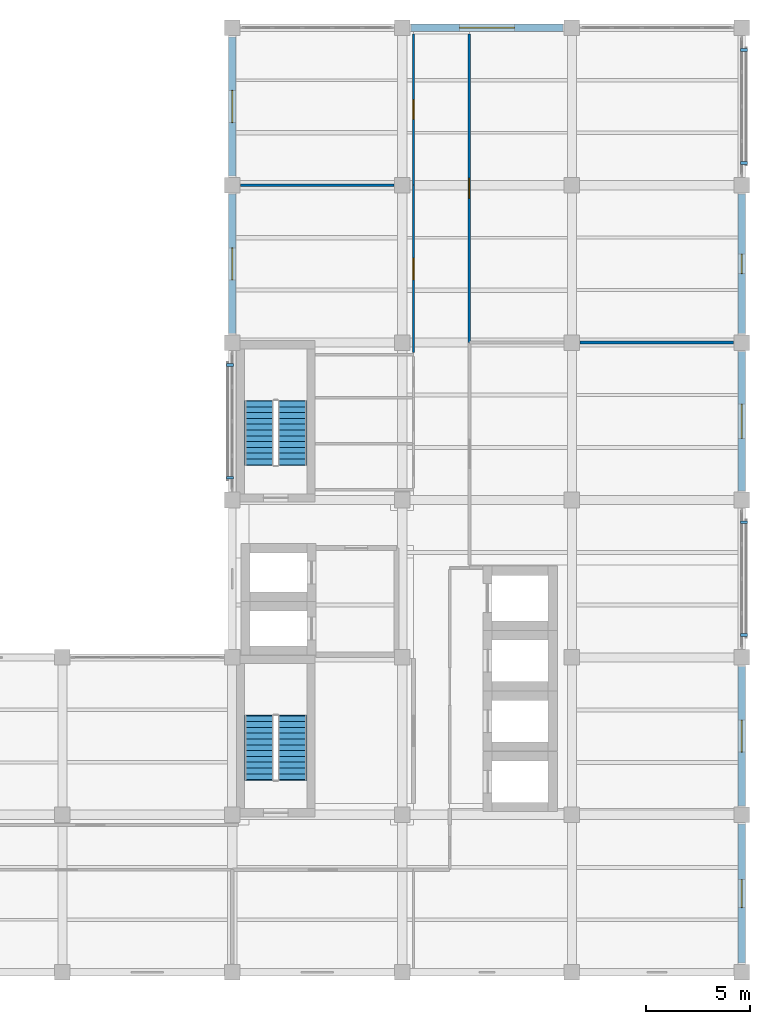
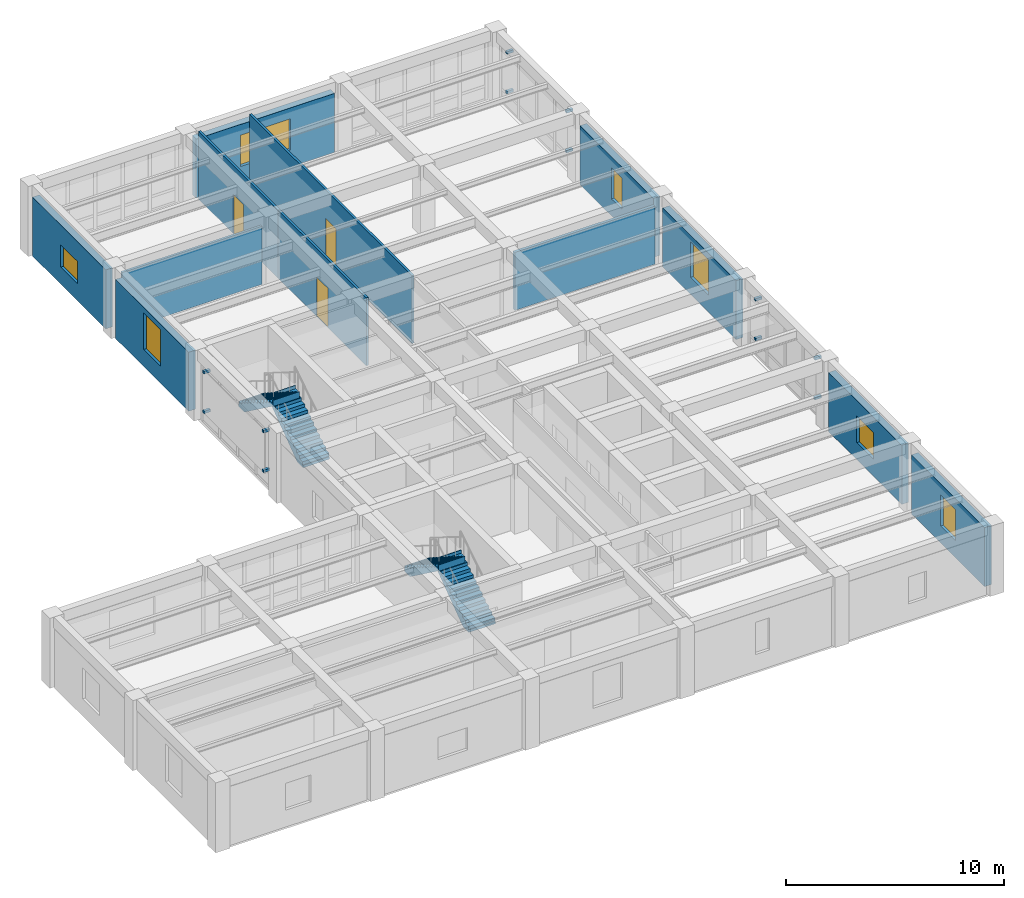
# One storey, part 9 of 13: 12 discrete accessories, 12 walls, 7 windows, 4 stair flights, 3 doors, 10 openings, 2 elements without a shape of their own.
"""IFC4 building model written with IfcOpenShell, lengths in metres."""

import ifcopenshell
import ifcopenshell.guid

model = None  # the IFC model being written
_history = None  # IfcOwnerHistory: only IFC2X3 demands one
_inside = {}  # id of a spatial element -> (the spatial element, [elements in it])
_under = {}  # id of a project, library or spatial element -> (it, [spatial elements below it])
_declared = {}  # id of a project -> (the project, [libraries it declares])
_typed = {}  # id of a type object -> (the type object, [elements of that type])
_made_of = {}  # id of a material, layer set ... -> (it, [elements and type objects made of it])


def new_model(schema):
    """Start an empty IFC model of exactly this schema.

    Asked for "IFC4X3", IfcOpenShell would pick the latest addendum, in which some entities
    have other attributes; the version numbers below select the first issue.
    IFC2X3 requires an IfcOwnerHistory on every rooted entity: one is made here for all.
    """
    global model, _history
    if schema == "IFC4X3":
        model = ifcopenshell.file(schema_version=(4, 3, 0, 0))
    else:
        model = ifcopenshell.file(schema=schema)
    _inside.clear()
    _under.clear()
    _declared.clear()
    _typed.clear()
    _made_of.clear()
    _history = None
    if model.schema == "IFC2X3":
        org = make("IfcOrganization", Name="unknown")
        user = make(
            "IfcPersonAndOrganization",
            ThePerson=make("IfcPerson", FamilyName="unknown"),
            TheOrganization=org,
        )
        app = make(
            "IfcApplication",
            ApplicationDeveloper=org,
            Version="unknown",
            ApplicationFullName="unknown",
            ApplicationIdentifier="unknown",
        )
        _history = make(
            "IfcOwnerHistory",
            OwningUser=user,
            OwningApplication=app,
            ChangeAction="ADDED",
            CreationDate=0,
        )
    return model


def make(cls, **values):
    """One entity of the class cls with the attributes given. An attribute that is None is left unset."""
    return model.create_entity(
        cls, **{name: value for name, value in values.items() if value is not None}
    )


def rooted(cls, **values):
    """An entity with a GlobalId (a new one), such as an element, a storey or a relation."""
    return make(cls, GlobalId=ifcopenshell.guid.new(), OwnerHistory=_history, **values)


def si_unit(unit_type, name, prefix=None):
    """IfcSIUnit, for example si_unit("LENGTHUNIT", "METRE", prefix="MILLI")."""
    return make("IfcSIUnit", UnitType=unit_type, Prefix=prefix, Name=name)


def assignment(units):
    """IfcUnitAssignment: the units of a project."""
    return None if units is None else make("IfcUnitAssignment", Units=units)


def point(xyz):
    """IfcCartesianPoint."""
    return None if xyz is None else make("IfcCartesianPoint", Coordinates=xyz)


def direction(xyz):
    """IfcDirection."""
    return None if xyz is None else make("IfcDirection", DirectionRatios=xyz)


def frame(location, z_axis=None, x_axis=None):
    """IfcAxis2Placement3D, a coordinate frame: its origin and axes. An axis left out is left unset."""
    return make(
        "IfcAxis2Placement3D",
        Location=point(location),
        Axis=direction(z_axis),
        RefDirection=direction(x_axis),
    )


def frame_2d(location, x_axis=None):
    """IfcAxis2Placement2D, a coordinate frame in the plane: its origin and x axis."""
    return make(
        "IfcAxis2Placement2D", Location=point(location), RefDirection=direction(x_axis)
    )


def origin():
    """The frame at (0, 0, 0) with its axes left unset."""
    return frame((0.0, 0.0, 0.0))


def origin_2d():
    """The frame at (0, 0) in the plane with its x axis left unset."""
    return frame_2d((0.0, 0.0))


def place(relative_to, where):
    """IfcLocalPlacement: puts the frame where relative to a parent placement (None: the world)."""
    return make(
        "IfcLocalPlacement", PlacementRelTo=relative_to, RelativePlacement=where
    )


def context(
    kind, dimensions, precision=None, world=None, true_north=None, identifier=None
):
    """IfcGeometricRepresentationContext, for example the 3D "Model" context."""
    return make(
        "IfcGeometricRepresentationContext",
        ContextIdentifier=identifier,
        ContextType=kind,
        CoordinateSpaceDimension=dimensions,
        Precision=precision,
        WorldCoordinateSystem=world,
        TrueNorth=true_north,
    )


def subcontext(parent, identifier, kind, view, scale=None):
    """IfcGeometricRepresentationSubContext, for example "Body" below "Model"."""
    return make(
        "IfcGeometricRepresentationSubContext",
        ContextIdentifier=identifier,
        ContextType=kind,
        ParentContext=parent,
        TargetScale=scale,
        TargetView=view,
    )


def project(units=None, contexts=None):
    """IfcProject with its units and contexts."""
    return rooted(
        "IfcProject",
        Name="project",
        RepresentationContexts=contexts,
        UnitsInContext=assignment(units),
    )


def spatial(cls, under=None, at=None, **own):
    """A site, building, storey or space (cls), placed at a placement, below another one or the project."""
    s = rooted(cls, ObjectPlacement=at, **own)
    if under is not None:
        _under.setdefault(under.id(), (under, []))[1].append(s)
    return s


def polyline(points):
    """IfcPolyline through the points."""
    return make("IfcPolyline", Points=[point(p) for p in points])


def profile(cls, at=None, kind="AREA", **sizes):
    """A parametric profile (cls). Its sizes go by their IFC names, for example OverallWidth=200.0."""
    return make(cls, ProfileType=kind, Position=at, **sizes)


def rectangle(**sizes):
    """IfcRectangleProfileDef."""
    return profile("IfcRectangleProfileDef", **sizes)


def outline(outer, holes=None, kind="AREA"):
    """IfcArbitraryClosedProfileDef: a profile drawn as a closed curve; with holes, ...WithVoids."""
    if holes is None:
        return make("IfcArbitraryClosedProfileDef", ProfileType=kind, OuterCurve=outer)
    return make(
        "IfcArbitraryProfileDefWithVoids",
        ProfileType=kind,
        OuterCurve=outer,
        InnerCurves=holes,
    )


def extrude(swept, where, along, depth):
    """IfcExtrudedAreaSolid: the profile swept, set in the frame where, extruded along a direction by depth."""
    return make(
        "IfcExtrudedAreaSolid",
        SweptArea=swept,
        Position=where,
        ExtrudedDirection=direction(along),
        Depth=depth,
    )


def shape(context_of_items, identifier, shape_type, items):
    """IfcShapeRepresentation: the items that make up one representation, for example the "Body"."""
    return make(
        "IfcShapeRepresentation",
        ContextOfItems=context_of_items,
        RepresentationIdentifier=identifier,
        RepresentationType=shape_type,
        Items=items,
    )


def material(Name=None, Category=None):
    """IfcMaterial."""
    return make("IfcMaterial", Name=Name, Category=Category)


def layer(
    of_material, thickness, ventilated=None, Name=None, Category=None, Priority=None
):
    """IfcMaterialLayer: one layer of a wall or slab, of a material (None: an air gap)."""
    return make(
        "IfcMaterialLayer",
        Material=of_material,
        LayerThickness=thickness,
        IsVentilated=ventilated,
        Name=Name,
        Category=Category,
        Priority=Priority,
    )


def layer_set(layers, Name=None):
    """IfcMaterialLayerSet."""
    return make("IfcMaterialLayerSet", MaterialLayers=layers, LayerSetName=Name)


def made_of(thing, what):
    """Note that an element or type object is made of a material, layer set ...; save() writes the relation."""
    if what is not None:
        _made_of.setdefault(what.id(), (what, []))[1].append(thing)
    return thing


def type_object(cls, material=None, **own):
    """A type object (cls), such as IfcWallType, which elements share."""
    return made_of(rooted(cls, **own), material)


def element(
    cls,
    number,
    at=None,
    inside=None,
    cuts=None,
    type_object=None,
    material=None,
    context=None,
    identifier="Body",
    shape_type=None,
    held_by="IfcProductDefinitionShape",
    body=None,
    shapes=None,
    **own,
):
    """One element of the class cls, such as IfcWall. Its Tag is "e" and its number.

    at: its placement. inside: the storey or other place that contains it. cuts: it is an
    opening in that element (IfcRelVoidsElement). A single representation is given by context,
    identifier, shape_type and body (its items); several are given by shapes. held_by: the class
    of the entity that holds the representations. save() writes the other relations.
    """
    e = rooted(cls, Tag="e%d" % number, ObjectPlacement=at, **own)
    if body is not None:
        shapes = [shape(context, identifier, shape_type, body)]
    if shapes is not None:
        e.Representation = make(held_by, Representations=shapes)
    if inside is not None:
        _inside.setdefault(inside.id(), (inside, []))[1].append(e)
    if cuts is not None:
        rooted(
            "IfcRelVoidsElement", RelatingBuildingElement=cuts, RelatedOpeningElement=e
        )
    if type_object is not None:
        _typed.setdefault(type_object.id(), (type_object, []))[1].append(e)
    return made_of(e, material)


def fill(opening, filler):
    """IfcRelFillsElement: the door or window that sits in an opening."""
    return rooted(
        "IfcRelFillsElement",
        RelatingOpeningElement=opening,
        RelatedBuildingElement=filler,
    )


def aggregate(whole, parts):
    """IfcRelAggregates: a whole, such as a stair, and the parts it consists of."""
    return rooted("IfcRelAggregates", RelatingObject=whole, RelatedObjects=parts)


def save(model, path):
    """Write the relations noted so far, then the file.

    IfcRelAggregates (storeys below a building ...), IfcRelContainedInSpatialStructure (elements
    in a storey), IfcRelDefinesByType, IfcRelAssociatesMaterial and IfcRelDeclares: one each for
    every whole, place, type object, material and project.
    """
    for whole, parts in _under.values():
        aggregate(whole, parts)
    for where, things in _inside.values():
        rooted(
            "IfcRelContainedInSpatialStructure",
            RelatedElements=things,
            RelatingStructure=where,
        )
    for kind, things in _typed.values():
        rooted("IfcRelDefinesByType", RelatedObjects=things, RelatingType=kind)
    for what, things in _made_of.values():
        rooted("IfcRelAssociatesMaterial", RelatedObjects=things, RelatingMaterial=what)
    for by, libraries in _declared.values():
        rooted("IfcRelDeclares", RelatingContext=by, RelatedDefinitions=libraries)
    model.write(path)


model = new_model("IFC4")

# Units and contexts
model_context = context("Model", 3, precision=1e-05, world=origin(), true_north=direction((0.0, 1.0)))
body_context = subcontext(model_context, "Body", "Model", "MODEL_VIEW")
ifc_project = project(units=[si_unit("LENGTHUNIT", "METRE"), si_unit("AREAUNIT", "SQUARE_METRE"), si_unit("VOLUMEUNIT", "CUBIC_METRE"), si_unit("PLANEANGLEUNIT", "RADIAN"), si_unit("MASSUNIT", "GRAM", prefix="KILO")], contexts=[model_context])

# Site, building, storey
site_placement = place(None, origin())
site = spatial("IfcSite", under=ifc_project, at=site_placement, CompositionType="ELEMENT")
building_placement = place(site_placement, origin())
building = spatial("IfcBuilding", under=site, at=building_placement, Name="Qandaris Square Conservatory and Botanical Centre", CompositionType="ELEMENT")
storey_placement = place(building_placement, frame((0.0, 0.0, 57.60009765625)))
storey = spatial("IfcBuildingStorey", under=building, at=storey_placement, Name="L13", CompositionType="ELEMENT", Elevation=57.60009765625)

# Wall
ifc_material_1 = material(Name="Gypsum Plasterboard", Category="gypsum")
ifc_layer_1 = layer(ifc_material_1, 0.14990234375)
ifc_layer_set_1 = layer_set([ifc_layer_1], Name="Gypsum Plasterboard")
wall_type_1 = type_object("IfcWallType", Name="Acoustic Laboratory Partition 150mm", PredefinedType="PARTITIONING", material=ifc_layer_set_1)
wall_1_placement = place(storey_placement, frame((155.9951171875, 47.0, 0.0), z_axis=(0.0, 0.0, 1.0), x_axis=(1.0, 0.0, 0.0)))
element("IfcWall", 1, at=wall_1_placement, inside=storey, type_object=wall_type_1, Name="Interior Partition IW-L13-0438", PredefinedType="PARTITIONING", context=body_context, shape_type="SweptSolid", body=[
    extrude(rectangle(XDim=7.409912109375, YDim=0.14990234375, at=frame_2d((3.705078125, 0.0))), origin(), (0.0, 0.0, 1.0), 3.2548828125),
])

# Wall, opening, window
ifc_material_2 = material(Name="Precast concrete C40/50", Category="concrete")
ifc_layer_2 = layer(ifc_material_2, 0.360107421875)
ifc_layer_set_2 = layer_set([ifc_layer_2], Name="Precast concrete C40/50")
wall_type_2 = type_object("IfcWallType", Name="Architectural Precast Cladding Wall 360mm", PredefinedType="SOLIDWALL", material=ifc_layer_set_2)
wall_2_placement = place(storey_placement, frame((163.800048828125, 17.034912109375, 0.0), z_axis=(0.0, 0.0, 1.0), x_axis=(0.0, 1.0, 0.0)))
wall_2 = element("IfcWall", 2, at=wall_2_placement, inside=storey, type_object=wall_type_2, Name="Exterior Wall EW-TWR-L13-2-1", PredefinedType="SOLIDWALL", context=body_context, shape_type="SweptSolid", body=[
    extrude(rectangle(XDim=6.72998046875, YDim=0.360107421875, at=frame_2d((3.364990234375, 0.0))), origin(), (0.0, 0.0, 1.0), 3.304931640625),
])
opening_1_placement = place(wall_2_placement, frame((2.68994140625, 0.0, 0.949951171875)))
opening_1 = element("IfcOpeningElement", 3, at=opening_1_placement, cuts=wall_2, Name="Opening WN-23", PredefinedType="OPENING", context=body_context, shape_type="SweptSolid", body=[
    extrude(rectangle(XDim=1.35009765625, YDim=1.75, at=frame_2d((0.675048828125, 0.875))), frame((0.0, 0.19189453125, 0.0), z_axis=(0.0, -1.0, 0.0), x_axis=(1.0, 0.0, 0.0)), (0.0, 0.0, 1.0), 0.384033203125),
])
ifc_material_3 = material(Name="Tempered Low-E Glass", Category="glass")
window_type_1 = type_object("IfcWindowType", Name="Solar Control Window 1350x1750", PartitioningType="SINGLE_PANEL", PredefinedType="WINDOW", material=ifc_material_3)
window_1_placement = place(opening_1_placement, origin())
window_1 = element("IfcWindow", 4, at=window_1_placement, inside=storey, type_object=window_type_1, Name="Window EW-TWR-L13-2-1", OverallHeight=1.75, OverallWidth=1.35009765625, PartitioningType="SINGLE_PANEL", PredefinedType="WINDOW", context=body_context, shape_type="SweptSolid", body=[
    extrude(rectangle(XDim=1.35009765625, YDim=1.75, at=frame_2d((0.675048828125, 0.875))), frame((0.0, 0.030029296875, 0.0), z_axis=(0.0, -1.0, 0.0), x_axis=(1.0, 0.0, 0.0)), (0.0, 0.0, 1.0), 0.06005859375),
])
fill(opening_1, window_1)

wall_3_placement = place(storey_placement, frame((163.800048828125, 24.635009765625, 0.0), z_axis=(0.0, 0.0, 1.0), x_axis=(0.0, 1.0, 0.0)))
wall_3 = element("IfcWall", 5, at=wall_3_placement, inside=storey, type_object=wall_type_2, Name="Exterior Wall EW-TWR-L13-2-2", PredefinedType="SOLIDWALL", context=body_context, shape_type="SweptSolid", body=[
    extrude(rectangle(XDim=6.72998046875, YDim=0.360107421875, at=frame_2d((3.364990234375, 0.0))), origin(), (0.0, 0.0, 1.0), 3.304931640625),
])
opening_2_placement = place(wall_3_placement, frame((2.590087890625, 0.0, 0.949951171875)))
opening_2 = element("IfcOpeningElement", 6, at=opening_2_placement, cuts=wall_3, Name="Opening WN-26", PredefinedType="OPENING", context=body_context, shape_type="SweptSolid", body=[
    extrude(rectangle(XDim=1.550048828125, YDim=1.5, at=frame_2d((0.77490234375, 0.75))), frame((0.0, 0.19189453125, 0.0), z_axis=(0.0, -1.0, 0.0), x_axis=(1.0, 0.0, 0.0)), (0.0, 0.0, 1.0), 0.384033203125),
])
window_type_2 = type_object("IfcWindowType", Name="Solar Control Window 1550x1500", PartitioningType="DOUBLE_PANEL_VERTICAL", PredefinedType="WINDOW", material=ifc_material_3)
window_2_placement = place(opening_2_placement, origin())
window_2 = element("IfcWindow", 7, at=window_2_placement, inside=storey, type_object=window_type_2, Name="Window EW-TWR-L13-2-2", OverallHeight=1.5, OverallWidth=1.550048828125, PartitioningType="DOUBLE_PANEL_VERTICAL", PredefinedType="WINDOW", context=body_context, shape_type="SweptSolid", body=[
    extrude(rectangle(XDim=1.550048828125, YDim=1.5, at=frame_2d((0.77490234375, 0.75))), frame((0.0, 0.030029296875, 0.0), z_axis=(0.0, -1.0, 0.0), x_axis=(1.0, 0.0, 0.0)), (0.0, 0.0, 1.0), 0.06005859375),
])
fill(opening_2, window_2)

wall_4_placement = place(storey_placement, frame((163.800048828125, 39.8349609375, 0.0), z_axis=(0.0, 0.0, 1.0), x_axis=(0.0, 1.0, 0.0)))
wall_4 = element("IfcWall", 8, at=wall_4_placement, inside=storey, type_object=wall_type_2, Name="Exterior Wall EW-TWR-L13-2-4", PredefinedType="SOLIDWALL", context=body_context, shape_type="SweptSolid", body=[
    extrude(rectangle(XDim=6.72998046875, YDim=0.360107421875, at=frame_2d((3.364990234375, 0.0))), origin(), (0.0, 0.0, 1.0), 3.304931640625),
])
opening_3_placement = place(wall_4_placement, frame((2.5400390625, 0.0, 0.949951171875)))
opening_3 = element("IfcOpeningElement", 9, at=opening_3_placement, cuts=wall_4, Name="Opening WN-08", PredefinedType="OPENING", context=body_context, shape_type="SweptSolid", body=[
    extrude(rectangle(XDim=1.64990234375, YDim=2.0, at=frame_2d((0.824951171875, 1.0))), frame((0.0, 0.19189453125, 0.0), z_axis=(0.0, -1.0, 0.0), x_axis=(1.0, 0.0, 0.0)), (0.0, 0.0, 1.0), 0.384033203125),
])
window_type_3 = type_object("IfcWindowType", Name="Seminar Courtyard Window 1650x2000", PartitioningType="DOUBLE_PANEL_VERTICAL", PredefinedType="WINDOW", material=ifc_material_3)
window_3_placement = place(opening_3_placement, origin())
window_3 = element("IfcWindow", 10, at=window_3_placement, inside=storey, type_object=window_type_3, Name="Window EW-TWR-L13-2-4", OverallHeight=2.0, OverallWidth=1.64990234375, PartitioningType="DOUBLE_PANEL_VERTICAL", PredefinedType="WINDOW", context=body_context, shape_type="SweptSolid", body=[
    extrude(rectangle(XDim=1.64990234375, YDim=2.0, at=frame_2d((0.824951171875, 1.0))), frame((0.0, 0.030029296875, 0.0), z_axis=(0.0, -1.0, 0.0), x_axis=(1.0, 0.0, 0.0)), (0.0, 0.0, 1.0), 0.06005859375),
])
fill(opening_3, window_3)

wall_5_placement = place(storey_placement, frame((163.800048828125, 47.43505859375, 0.0), z_axis=(0.0, 0.0, 1.0), x_axis=(0.0, 1.0, 0.0)))
wall_5 = element("IfcWall", 11, at=wall_5_placement, inside=storey, type_object=wall_type_2, Name="Exterior Wall EW-TWR-L13-2-5", PredefinedType="SOLIDWALL", context=body_context, shape_type="SweptSolid", body=[
    extrude(rectangle(XDim=6.72998046875, YDim=0.360107421875, at=frame_2d((3.364990234375, 0.0))), origin(), (0.0, 0.0, 1.0), 3.304931640625),
])
opening_4_placement = place(wall_5_placement, frame((2.889892578125, 0.0, 0.949951171875)))
opening_4 = element("IfcOpeningElement", 12, at=opening_4_placement, cuts=wall_5, Name="Opening WN-15", PredefinedType="OPENING", context=body_context, shape_type="SweptSolid", body=[
    extrude(rectangle(XDim=0.949951171875, YDim=1.75, at=frame_2d((0.47509765625, 0.875))), frame((0.0, 0.19189453125, 0.0), z_axis=(0.0, -1.0, 0.0), x_axis=(1.0, 0.0, 0.0)), (0.0, 0.0, 1.0), 0.384033203125),
])
window_type_4 = type_object("IfcWindowType", Name="Solar Control Window 950x1750", PartitioningType="SINGLE_PANEL", PredefinedType="WINDOW", material=ifc_material_3)
window_4_placement = place(opening_4_placement, origin())
window_4 = element("IfcWindow", 13, at=window_4_placement, inside=storey, type_object=window_type_4, Name="Window EW-TWR-L13-2-5", OverallHeight=1.75, OverallWidth=0.949951171875, PartitioningType="SINGLE_PANEL", PredefinedType="WINDOW", context=body_context, shape_type="SweptSolid", body=[
    extrude(rectangle(XDim=0.949951171875, YDim=1.75, at=frame_2d((0.47509765625, 0.875))), frame((0.0, 0.030029296875, 0.0), z_axis=(0.0, -1.0, 0.0), x_axis=(1.0, 0.0, 0.0)), (0.0, 0.0, 1.0), 0.06005859375),
])
fill(opening_4, window_4)

wall_6_placement = place(storey_placement, frame((155.1650390625, 62.199951171875, 0.0), z_axis=(0.0, 0.0, 1.0), x_axis=(-1.0, 0.0, 0.0)))
wall_6 = element("IfcWall", 14, at=wall_6_placement, inside=storey, type_object=wall_type_2, Name="Exterior Wall EW-TWR-L13-3-2", PredefinedType="SOLIDWALL", context=body_context, shape_type="SweptSolid", body=[
    extrude(rectangle(XDim=7.330078125, YDim=0.360107421875, at=frame_2d((3.6650390625, 0.0))), origin(), (0.0, 0.0, 1.0), 3.304931640625),
])
opening_5_placement = place(wall_6_placement, frame((2.340087890625, 0.0, 0.949951171875)))
opening_5 = element("IfcOpeningElement", 15, at=opening_5_placement, cuts=wall_6, Name="Opening WN-43", PredefinedType="OPENING", context=body_context, shape_type="SweptSolid", body=[
    extrude(rectangle(XDim=2.64990234375, YDim=1.75, at=frame_2d((1.324951171875, 0.875))), frame((0.0, 0.19189453125, 0.0), z_axis=(0.0, -1.0, 0.0), x_axis=(1.0, 0.0, 0.0)), (0.0, 0.0, 1.0), 0.384033203125),
])
window_type_5 = type_object("IfcWindowType", Name="Solar Control Window 2650x1750", PartitioningType="DOUBLE_PANEL_VERTICAL", PredefinedType="WINDOW", material=ifc_material_3)
window_5_placement = place(opening_5_placement, origin())
window_5 = element("IfcWindow", 16, at=window_5_placement, inside=storey, type_object=window_type_5, Name="Window EW-TWR-L13-3-2", OverallHeight=1.75, OverallWidth=2.64990234375, PartitioningType="DOUBLE_PANEL_VERTICAL", PredefinedType="WINDOW", context=body_context, shape_type="SweptSolid", body=[
    extrude(rectangle(XDim=2.64990234375, YDim=1.75, at=frame_2d((1.324951171875, 0.875))), frame((0.0, 0.030029296875, 0.0), z_axis=(0.0, -1.0, 0.0), x_axis=(1.0, 0.0, 0.0)), (0.0, 0.0, 1.0), 0.06005859375),
])
fill(opening_5, window_5)

wall_7_placement = place(storey_placement, frame((139.199951171875, 61.764892578125, 0.0), z_axis=(0.0, 0.0, 1.0), x_axis=(0.0, -1.0, 0.0)))
wall_7 = element("IfcWall", 17, at=wall_7_placement, inside=storey, type_object=wall_type_2, Name="Exterior Wall EW-TWR-L13-4-1", PredefinedType="SOLIDWALL", context=body_context, shape_type="SweptSolid", body=[
    extrude(rectangle(XDim=6.72998046875, YDim=0.360107421875, at=frame_2d((3.364990234375, 0.0))), origin(), (0.0, 0.0, 1.0), 3.304931640625),
])
opening_6_placement = place(wall_7_placement, frame((2.590087890625, 0.0, 0.949951171875)))
opening_6 = element("IfcOpeningElement", 18, at=opening_6_placement, cuts=wall_7, Name="Opening WN-25", PredefinedType="OPENING", context=body_context, shape_type="SweptSolid", body=[
    extrude(rectangle(XDim=1.550048828125, YDim=1.25, at=frame_2d((0.77490234375, 0.625))), frame((0.0, 0.19189453125, 0.0), z_axis=(0.0, -1.0, 0.0), x_axis=(1.0, 0.0, 0.0)), (0.0, 0.0, 1.0), 0.384033203125),
])
window_type_6 = type_object("IfcWindowType", Name="Solar Control Window 1550x1250", PartitioningType="DOUBLE_PANEL_VERTICAL", PredefinedType="WINDOW", material=ifc_material_3)
window_6_placement = place(opening_6_placement, origin())
window_6 = element("IfcWindow", 19, at=window_6_placement, inside=storey, type_object=window_type_6, Name="Window EW-TWR-L13-4-1", OverallHeight=1.25, OverallWidth=1.550048828125, PartitioningType="DOUBLE_PANEL_VERTICAL", PredefinedType="WINDOW", context=body_context, shape_type="SweptSolid", body=[
    extrude(rectangle(XDim=1.550048828125, YDim=1.25, at=frame_2d((0.77490234375, 0.625))), frame((0.0, 0.030029296875, 0.0), z_axis=(0.0, -1.0, 0.0), x_axis=(1.0, 0.0, 0.0)), (0.0, 0.0, 1.0), 0.06005859375),
])
fill(opening_6, window_6)

wall_8_placement = place(storey_placement, frame((139.199951171875, 54.1650390625, 0.0), z_axis=(0.0, 0.0, 1.0), x_axis=(0.0, -1.0, 0.0)))
wall_8 = element("IfcWall", 20, at=wall_8_placement, inside=storey, type_object=wall_type_2, Name="Exterior Wall EW-TWR-L13-4-2", PredefinedType="SOLIDWALL", context=body_context, shape_type="SweptSolid", body=[
    extrude(rectangle(XDim=6.72998046875, YDim=0.360107421875, at=frame_2d((3.364990234375, 0.0))), origin(), (0.0, 0.0, 1.0), 3.304931640625),
])
opening_7_placement = place(wall_8_placement, frame((2.590087890625, 0.0, 0.949951171875)))
opening_7 = element("IfcOpeningElement", 21, at=opening_7_placement, cuts=wall_8, Name="Opening WN-28", PredefinedType="OPENING", context=body_context, shape_type="SweptSolid", body=[
    extrude(rectangle(XDim=1.550048828125, YDim=2.050048828125, at=frame_2d((0.77490234375, 1.02490234375))), frame((0.0, 0.19189453125, 0.0), z_axis=(0.0, -1.0, 0.0), x_axis=(1.0, 0.0, 0.0)), (0.0, 0.0, 1.0), 0.384033203125),
])
window_type_7 = type_object("IfcWindowType", Name="Solar Control Window 1550x2050", PartitioningType="DOUBLE_PANEL_VERTICAL", PredefinedType="WINDOW", material=ifc_material_3)
window_7_placement = place(opening_7_placement, origin())
window_7 = element("IfcWindow", 22, at=window_7_placement, inside=storey, type_object=window_type_7, Name="Window EW-TWR-L13-4-2", OverallHeight=2.050048828125, OverallWidth=1.550048828125, PartitioningType="DOUBLE_PANEL_VERTICAL", PredefinedType="WINDOW", context=body_context, shape_type="SweptSolid", body=[
    extrude(rectangle(XDim=1.550048828125, YDim=2.050048828125, at=frame_2d((0.77490234375, 1.02490234375))), frame((0.0, 0.030029296875, 0.0), z_axis=(0.0, -1.0, 0.0), x_axis=(1.0, 0.0, 0.0)), (0.0, 0.0, 1.0), 0.06005859375),
])
fill(opening_7, window_7)

# Wall, opening, door
ifc_layer_3 = layer(ifc_material_1, 0.1201171875)
ifc_layer_set_3 = layer_set([ifc_layer_3], Name="Gypsum Plasterboard")
wall_type_3 = type_object("IfcWallType", Name="Standard Research Partition 120mm", PredefinedType="PARTITIONING", material=ifc_layer_set_3)
wall_9_placement = place(storey_placement, frame((147.949951171875, 46.510009765625, 0.0), z_axis=(0.0, 0.0, 1.0), x_axis=(0.0, 1.0, 0.0)))
wall_9 = element("IfcWall", 23, at=wall_9_placement, inside=storey, type_object=wall_type_3, Name="Interior Partition IW-L13-0431", PredefinedType="PARTITIONING", context=body_context, shape_type="SweptSolid", body=[
    extrude(rectangle(XDim=8.090087890625, YDim=0.1201171875, at=frame_2d((4.044921875, 0.0))), origin(), (0.0, 0.0, 1.0), 3.804931640625),
])
opening_8_placement = place(wall_9_placement, frame((3.52001953125, 0.0, 0.0)))
opening_8 = element("IfcOpeningElement", 24, at=opening_8_placement, cuts=wall_9, Name="Opening D-LAB2", PredefinedType="OPENING", context=body_context, shape_type="SweptSolid", body=[
    extrude(rectangle(XDim=1.050048828125, YDim=2.199951171875, at=frame_2d((0.52490234375, 1.10009765625))), frame((0.0, 0.072021484375, 0.0), z_axis=(0.0, -1.0, 0.0), x_axis=(1.0, 0.0, 0.0)), (0.0, 0.0, 1.0), 0.14404296875),
])
ifc_material_4 = material(Name="Engineered Oak Timber", Category="wood")
door_type_1 = type_object("IfcDoorType", Name="Analytical Laboratory Single Door 1050x2200", OperationType="NOTDEFINED", PredefinedType="DOOR", material=ifc_material_4)
door_1_placement = place(opening_8_placement, origin())
door_1 = element("IfcDoor", 25, at=door_1_placement, inside=storey, type_object=door_type_1, Name="DR-0390 Coastal Dune Flora Specimen Prep Room Door", OperationType="SINGLE_SWING_LEFT", OverallHeight=2.199951171875, OverallWidth=1.050048828125, PredefinedType="DOOR", context=body_context, shape_type="SweptSolid", body=[
    extrude(rectangle(XDim=1.050048828125, YDim=2.199951171875, at=frame_2d((0.52490234375, 1.10009765625))), frame((0.0, 0.02490234375, 0.0), z_axis=(0.0, -1.0, 0.0), x_axis=(1.0, 0.0, 0.0)), (0.0, 0.0, 1.0), 0.050048828125),
])
fill(opening_8, door_1)

wall_10_placement = place(storey_placement, frame((147.949951171875, 54.60009765625, 0.0), z_axis=(0.0, 0.0, 1.0), x_axis=(0.0, 1.0, 0.0)))
wall_10 = element("IfcWall", 26, at=wall_10_placement, inside=storey, type_object=wall_type_3, Name="Interior Partition IW-L13-0432", PredefinedType="PARTITIONING", context=body_context, shape_type="SweptSolid", body=[
    extrude(rectangle(XDim=7.2998046875, YDim=0.1201171875, at=frame_2d((3.64990234375, 0.0))), origin(), (0.0, 0.0, 1.0), 3.804931640625),
])
opening_9_placement = place(wall_10_placement, frame((3.175048828125, 0.0, 0.0)))
opening_9 = element("IfcOpeningElement", 27, at=opening_9_placement, cuts=wall_10, Name="Opening D-OFF1", PredefinedType="OPENING", context=body_context, shape_type="SweptSolid", body=[
    extrude(rectangle(XDim=0.949951171875, YDim=2.199951171875, at=frame_2d((0.47509765625, 1.10009765625))), frame((0.0, 0.072021484375, 0.0), z_axis=(0.0, -1.0, 0.0), x_axis=(1.0, 0.0, 0.0)), (0.0, 0.0, 1.0), 0.14404296875),
])
door_type_2 = type_object("IfcDoorType", Name="Research Office Acoustic Door 950x2200", OperationType="NOTDEFINED", PredefinedType="DOOR", material=ifc_material_4)
door_2_placement = place(opening_9_placement, frame((0.949951171875, 0.0, 0.0), z_axis=(0.0, 0.0, 1.0), x_axis=(-1.0, 0.0, 0.0)))
door_2 = element("IfcDoor", 28, at=door_2_placement, inside=storey, type_object=door_type_2, Name="DR-0391 Climate Modelling Collaborative Seminar Room Door", OperationType="SINGLE_SWING_RIGHT", OverallHeight=2.199951171875, OverallWidth=0.949951171875, PredefinedType="DOOR", context=body_context, shape_type="SweptSolid", body=[
    extrude(rectangle(XDim=0.949951171875, YDim=2.199951171875, at=frame_2d((0.47509765625, 1.10009765625))), frame((0.0, 0.02490234375, 0.0), z_axis=(0.0, -1.0, 0.0), x_axis=(1.0, 0.0, 0.0)), (0.0, 0.0, 1.0), 0.050048828125),
])
fill(opening_9, door_2)

wall_11_placement = place(storey_placement, frame((150.64990234375, 61.89990234375, 0.0), z_axis=(0.0, 0.0, 1.0), x_axis=(0.0, -1.0, 0.0)))
wall_11 = element("IfcWall", 29, at=wall_11_placement, inside=storey, type_object=wall_type_3, Name="Interior Partition IW-L13-0433", PredefinedType="PARTITIONING", context=body_context, shape_type="SweptSolid", body=[
    extrude(rectangle(XDim=14.89990234375, YDim=0.1201171875, at=frame_2d((7.449951171875, 0.0))), origin(), (0.0, 0.0, 1.0), 3.804931640625),
])
opening_10_placement = place(wall_11_placement, frame((6.97509765625, 0.0, 0.0)))
opening_10 = element("IfcOpeningElement", 30, at=opening_10_placement, cuts=wall_11, Name="Opening D-OFF1", PredefinedType="OPENING", context=body_context, shape_type="SweptSolid", body=[
    extrude(rectangle(XDim=0.949951171875, YDim=2.199951171875, at=frame_2d((0.47509765625, 1.10009765625))), frame((0.0, 0.072021484375, 0.0), z_axis=(0.0, -1.0, 0.0), x_axis=(1.0, 0.0, 0.0)), (0.0, 0.0, 1.0), 0.14404296875),
])
door_3_placement = place(opening_10_placement, origin())
door_3 = element("IfcDoor", 31, at=door_3_placement, inside=storey, type_object=door_type_2, Name="DR-0392 Floor L13 Staff Write-Up Lounge Door", OperationType="SINGLE_SWING_LEFT", OverallHeight=2.199951171875, OverallWidth=0.949951171875, PredefinedType="DOOR", context=body_context, shape_type="SweptSolid", body=[
    extrude(rectangle(XDim=0.949951171875, YDim=2.199951171875, at=frame_2d((0.47509765625, 1.10009765625))), frame((0.0, 0.02490234375, 0.0), z_axis=(0.0, -1.0, 0.0), x_axis=(1.0, 0.0, 0.0)), (0.0, 0.0, 1.0), 0.050048828125),
])
fill(opening_10, door_3)

# Wall
wall_12_placement = place(storey_placement, frame((139.594970703125, 54.60009765625, 0.0), z_axis=(0.0, 0.0, 1.0), x_axis=(1.0, 0.0, 0.0)))
element("IfcWall", 32, at=wall_12_placement, inside=storey, type_object=wall_type_3, Name="Interior Partition IW-L13-0439", PredefinedType="PARTITIONING", context=body_context, shape_type="SweptSolid", body=[
    extrude(rectangle(XDim=7.409912109375, YDim=0.1201171875, at=frame_2d((3.705078125, 0.0))), origin(), (0.0, 0.0, 1.0), 3.2548828125),
])

# Stair, stair flights
ifc_material_5 = material(Name="Concrete C40/50", Category="concrete")
stair_type = type_object("IfcStairType", Name="Core Escape Scissor Stair", PredefinedType="HALF_TURN_STAIR", material=ifc_material_5)
stair_1_placement = place(storey_placement, origin())
stair_1 = element("IfcStair", 33, at=stair_1_placement, inside=storey, type_object=stair_type, Name="L13 Tower South Exit Stair ST-1", PredefinedType="HALF_TURN_STAIR")
stair_flight_type = type_object("IfcStairFlightType", Name="RC Precast Stair Flight 1400mm", PredefinedType="STRAIGHT", material=ifc_material_2)
stair_flight_1_placement = place(storey_placement, frame((142.10009765625, 25.89990234375, 0.0), z_axis=(0.0, 0.0, 1.0), x_axis=(0.0, 1.0, 0.0)))
stair_flight_1 = element("IfcStairFlight", 34, at=stair_flight_1_placement, type_object=stair_flight_type, Name="ST-1 flight 1", NumberOfRisers=12, NumberOfTreads=11, PredefinedType="STRAIGHT", RiserHeight=0.175, TreadLength=0.28, context=body_context, shape_type="SweptSolid", body=[
    extrude(outline(polyline([(-0.034912109375, 0.0), (0.0, 0.0), (0.0, 0.175048828125), (0.280029296875, 0.175048828125), (0.280029296875, 0.35009765625), (0.56005859375, 0.35009765625), (0.56005859375, 0.52490234375), (0.840087890625, 0.52490234375), (0.840087890625, 0.699951171875), (1.1201171875, 0.699951171875), (1.1201171875, 0.875), (1.39990234375, 0.875), (1.39990234375, 1.050048828125), (1.679931640625, 1.050048828125), (1.679931640625, 1.22509765625), (1.9599609375, 1.22509765625), (1.9599609375, 1.39990234375), (2.239990234375, 1.39990234375), (2.239990234375, 1.574951171875), (2.52001953125, 1.574951171875), (2.52001953125, 1.75), (2.800048828125, 1.75), (2.800048828125, 1.925048828125), (3.080078125, 1.925048828125), (3.080078125, 2.10009765625), (3.114990234375, 2.10009765625), (3.114990234375, 1.748291015625), (3.080078125, 1.748291015625), (0.5068359375, -0.139892578125), (-0.034912109375, -0.139892578125), (-0.034912109375, 0.0)])), frame((0.0, 0.699951171875, 0.0), z_axis=(0.0, -1.0, 0.0), x_axis=(1.0, 0.0, 0.0)), (0.0, 0.0, 1.0), 1.39990234375),
])
stair_flight_2_placement = place(storey_placement, frame((140.5, 28.97998046875, 2.099853515625), z_axis=(0.0, 0.0, 1.0), x_axis=(0.0, -1.0, 0.0)))
stair_flight_2 = element("IfcStairFlight", 35, at=stair_flight_2_placement, type_object=stair_flight_type, Name="ST-1 flight 2", NumberOfRisers=12, NumberOfTreads=11, PredefinedType="STRAIGHT", RiserHeight=0.175, TreadLength=0.28, context=body_context, shape_type="SweptSolid", body=[
    extrude(outline(polyline([(-0.034912109375, 0.0), (0.0, 0.0), (0.0, 0.175048828125), (0.280029296875, 0.175048828125), (0.280029296875, 0.35009765625), (0.56005859375, 0.35009765625), (0.56005859375, 0.52490234375), (0.840087890625, 0.52490234375), (0.840087890625, 0.699951171875), (1.1201171875, 0.699951171875), (1.1201171875, 0.875), (1.39990234375, 0.875), (1.39990234375, 1.050048828125), (1.679931640625, 1.050048828125), (1.679931640625, 1.22509765625), (1.9599609375, 1.22509765625), (1.9599609375, 1.39990234375), (2.239990234375, 1.39990234375), (2.239990234375, 1.574951171875), (2.52001953125, 1.574951171875), (2.52001953125, 1.75), (2.800048828125, 1.75), (2.800048828125, 1.925048828125), (3.080078125, 1.925048828125), (3.080078125, 2.10009765625), (3.114990234375, 2.10009765625), (3.114990234375, 1.748291015625), (3.080078125, 1.748291015625), (0.5068359375, -0.139892578125), (-0.034912109375, -0.139892578125), (-0.034912109375, 0.0)])), frame((0.0, 0.699951171875, 0.0), z_axis=(0.0, -1.0, 0.0), x_axis=(1.0, 0.0, 0.0)), (0.0, 0.0, 1.0), 1.39990234375),
])
aggregate(stair_1, [stair_flight_1, stair_flight_2])

stair_2_placement = place(storey_placement, origin())
stair_2 = element("IfcStair", 36, at=stair_2_placement, inside=storey, type_object=stair_type, Name="L13 Tower North Exit Stair ST-2", PredefinedType="HALF_TURN_STAIR")
stair_flight_3_placement = place(storey_placement, frame((142.10009765625, 41.10009765625, 0.0), z_axis=(0.0, 0.0, 1.0), x_axis=(0.0, 1.0, 0.0)))
stair_flight_3 = element("IfcStairFlight", 37, at=stair_flight_3_placement, type_object=stair_flight_type, Name="ST-2 flight 1", NumberOfRisers=12, NumberOfTreads=11, PredefinedType="STRAIGHT", RiserHeight=0.175, TreadLength=0.28, context=body_context, shape_type="SweptSolid", body=[
    extrude(outline(polyline([(-0.034912109375, 0.0), (0.0, 0.0), (0.0, 0.175048828125), (0.280029296875, 0.175048828125), (0.280029296875, 0.35009765625), (0.56005859375, 0.35009765625), (0.56005859375, 0.52490234375), (0.840087890625, 0.52490234375), (0.840087890625, 0.699951171875), (1.1201171875, 0.699951171875), (1.1201171875, 0.875), (1.39990234375, 0.875), (1.39990234375, 1.050048828125), (1.679931640625, 1.050048828125), (1.679931640625, 1.22509765625), (1.9599609375, 1.22509765625), (1.9599609375, 1.39990234375), (2.239990234375, 1.39990234375), (2.239990234375, 1.574951171875), (2.52001953125, 1.574951171875), (2.52001953125, 1.75), (2.800048828125, 1.75), (2.800048828125, 1.925048828125), (3.080078125, 1.925048828125), (3.080078125, 2.10009765625), (3.114990234375, 2.10009765625), (3.114990234375, 1.748291015625), (3.080078125, 1.748291015625), (0.5068359375, -0.139892578125), (-0.034912109375, -0.139892578125), (-0.034912109375, 0.0)])), frame((0.0, 0.699951171875, 0.0), z_axis=(0.0, -1.0, 0.0), x_axis=(1.0, 0.0, 0.0)), (0.0, 0.0, 1.0), 1.39990234375),
])
stair_flight_4_placement = place(storey_placement, frame((140.5, 44.179931640625, 2.099853515625), z_axis=(0.0, 0.0, 1.0), x_axis=(0.0, -1.0, 0.0)))
stair_flight_4 = element("IfcStairFlight", 38, at=stair_flight_4_placement, type_object=stair_flight_type, Name="ST-2 flight 2", NumberOfRisers=12, NumberOfTreads=11, PredefinedType="STRAIGHT", RiserHeight=0.175, TreadLength=0.28, context=body_context, shape_type="SweptSolid", body=[
    extrude(outline(polyline([(-0.034912109375, 0.0), (0.0, 0.0), (0.0, 0.175048828125), (0.280029296875, 0.175048828125), (0.280029296875, 0.35009765625), (0.56005859375, 0.35009765625), (0.56005859375, 0.52490234375), (0.840087890625, 0.52490234375), (0.840087890625, 0.699951171875), (1.1201171875, 0.699951171875), (1.1201171875, 0.875), (1.39990234375, 0.875), (1.39990234375, 1.050048828125), (1.679931640625, 1.050048828125), (1.679931640625, 1.22509765625), (1.9599609375, 1.22509765625), (1.9599609375, 1.39990234375), (2.239990234375, 1.39990234375), (2.239990234375, 1.574951171875), (2.52001953125, 1.574951171875), (2.52001953125, 1.75), (2.800048828125, 1.75), (2.800048828125, 1.925048828125), (3.080078125, 1.925048828125), (3.080078125, 2.10009765625), (3.114990234375, 2.10009765625), (3.114990234375, 1.748291015625), (3.080078125, 1.748291015625), (0.5068359375, -0.139892578125), (-0.034912109375, -0.139892578125), (-0.034912109375, 0.0)])), frame((0.0, 0.699951171875, 0.0), z_axis=(0.0, -1.0, 0.0), x_axis=(1.0, 0.0, 0.0)), (0.0, 0.0, 1.0), 1.39990234375),
])
aggregate(stair_2, [stair_flight_3, stair_flight_4])

# Discrete accessories
ifc_material_6 = material(Name="Steel S355", Category="steel")
discrete_accessory_type = type_object("IfcDiscreteAccessoryType", Name="Mashrabiya Support Outrigger Bracket", PredefinedType="BRACKET", material=ifc_material_6)
for number, where, z_axis, x_axis, name in (
    (39, (163.909912109375, 32.875, 0.8466796875), (0.0, 0.0, 1.0), (0.0, 1.0, 0.0), "Mashrabiya Bracket CW-TWR-L13-2-3-BRK-6-585"),
    (40, (163.909912109375, 32.875, 3.06982421875), (0.0, 0.0, 1.0), (0.0, 1.0, 0.0), "Mashrabiya Bracket CW-TWR-L13-2-3-BRK-6-607"),
    (41, (163.909912109375, 38.324951171875, 0.8466796875), (0.0, 0.0, 1.0), (0.0, 1.0, 0.0), "Mashrabiya Bracket CW-TWR-L13-2-3-BRK-60-585"),
    (42, (163.909912109375, 38.324951171875, 3.06982421875), (0.0, 0.0, 1.0), (0.0, 1.0, 0.0), "Mashrabiya Bracket CW-TWR-L13-2-3-BRK-60-607"),
    (43, (163.909912109375, 55.675048828125, 0.8466796875), (0.0, 0.0, 1.0), (0.0, 1.0, 0.0), "Mashrabiya Bracket CW-TWR-L13-2-6-BRK-6-585"),
    (44, (163.909912109375, 55.675048828125, 3.06982421875), (0.0, 0.0, 1.0), (0.0, 1.0, 0.0), "Mashrabiya Bracket CW-TWR-L13-2-6-BRK-6-607"),
    (45, (163.909912109375, 61.125, 0.8466796875), (0.0, 0.0, 1.0), (0.0, 1.0, 0.0), "Mashrabiya Bracket CW-TWR-L13-2-6-BRK-60-585"),
    (46, (163.909912109375, 61.125, 3.06982421875), (0.0, 0.0, 1.0), (0.0, 1.0, 0.0), "Mashrabiya Bracket CW-TWR-L13-2-6-BRK-60-607"),
    (47, (139.090087890625, 45.925048828125, 0.8466796875), (0.0, 0.0, 1.0), (0.0, -1.0, 0.0), "Mashrabiya Bracket CW-TWR-L13-4-3-BRK-6-585"),
    (48, (139.090087890625, 45.925048828125, 3.06982421875), (0.0, 0.0, 1.0), (0.0, -1.0, 0.0), "Mashrabiya Bracket CW-TWR-L13-4-3-BRK-6-607"),
    (49, (139.090087890625, 40.47509765625, 0.8466796875), (0.0, 0.0, 1.0), (0.0, -1.0, 0.0), "Mashrabiya Bracket CW-TWR-L13-4-3-BRK-60-585"),
    (50, (139.090087890625, 40.47509765625, 3.06982421875), (0.0, 0.0, 1.0), (0.0, -1.0, 0.0), "Mashrabiya Bracket CW-TWR-L13-4-3-BRK-60-607"),
):
    element("IfcDiscreteAccessory", number, at=place(storey_placement, frame(where, z_axis=z_axis, x_axis=x_axis)), inside=storey, type_object=discrete_accessory_type, Name=name, PredefinedType="BRACKET", context=body_context, shape_type="SweptSolid", body=[
        extrude(rectangle(XDim=0.139892578125, YDim=0.340087890625, at=origin_2d()), origin(), (0.0, 0.0, 1.0), 0.139892578125),
    ])

save(model, "model.ifc")
